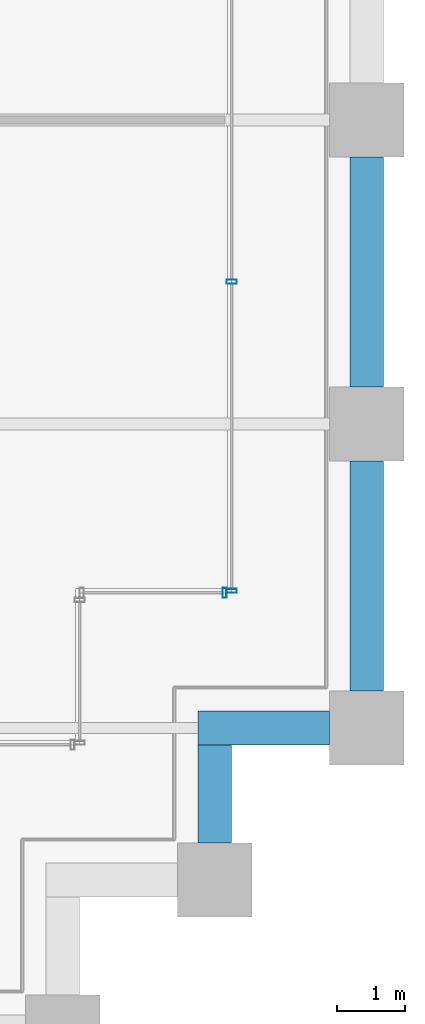
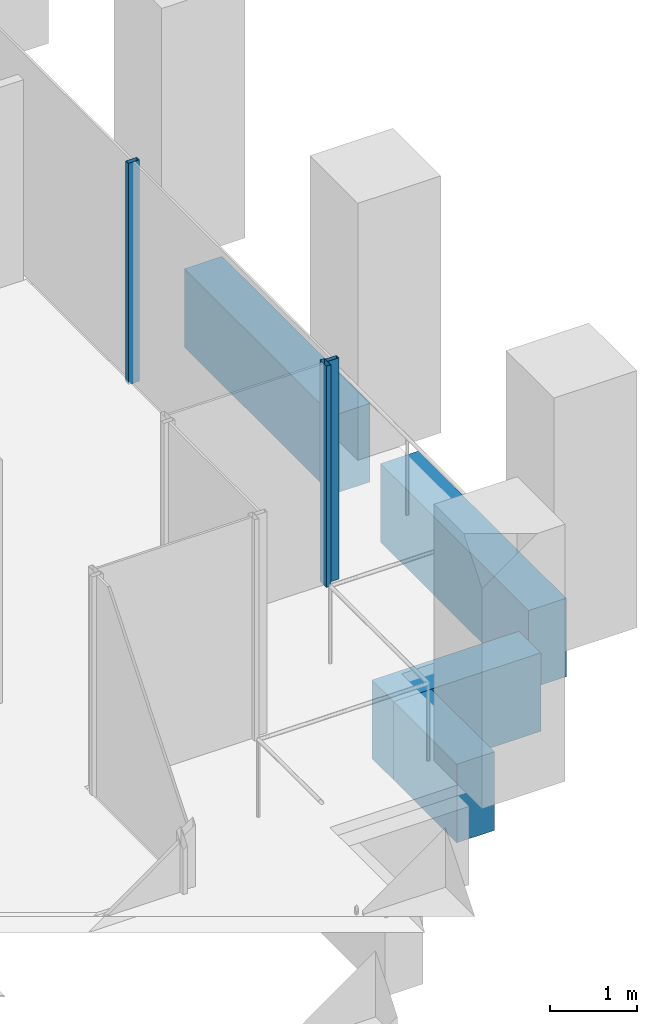
# One storey, part 46 of 54: 4 beams, 3 members, 2 elements without a shape of their own.
"""IFC4 building model written with IfcOpenShell, lengths in metres."""

from ifc_helpers import new_model, si_unit, direction, frame, origin, origin_2d, place, context, subcontext, project, spatial, rectangle, hollow_rectangle, extrude, material, material_profile, profile_set, type_object, element, aggregate, save


model = new_model("IFC4")

# Units and contexts
model_context = context("Model", 3, precision=1e-05, world=origin(), true_north=direction((0.0, 1.0)))
body_context = subcontext(model_context, "Body", "Model", "MODEL_VIEW")
ifc_project = project(units=[si_unit("LENGTHUNIT", "METRE"), si_unit("AREAUNIT", "SQUARE_METRE"), si_unit("VOLUMEUNIT", "CUBIC_METRE"), si_unit("PLANEANGLEUNIT", "RADIAN"), si_unit("MASSUNIT", "GRAM", prefix="KILO")], contexts=[model_context])

# Site, building, storey
site_placement = place(None, origin())
site = spatial("IfcSite", under=ifc_project, at=site_placement, CompositionType="ELEMENT")
building_placement = place(site_placement, origin())
building = spatial("IfcBuilding", under=site, at=building_placement, Name="Altepetl Exchange Towers", CompositionType="ELEMENT")
storey_placement = place(building_placement, frame((0.0, 0.0, 61.800048828125)))
storey = spatial("IfcBuildingStorey", under=building, at=storey_placement, Name="L14", CompositionType="ELEMENT", Elevation=61.800048828125)

# Curtain wall, member
ifc_material_1 = material(Name="Aluminium 6063-T6 glazing", Category="aluminium")
curtain_wall_type = type_object("IfcCurtainWallType", Name="Loggia glazing system", PredefinedType="NOTDEFINED", material=ifc_material_1)
curtain_wall_1_placement = place(storey_placement, origin())
curtain_wall_1 = element("IfcCurtainWall", 1, at=curtain_wall_1_placement, inside=storey, type_object=curtain_wall_type, Name="CW1 run", PredefinedType="NOTDEFINED")
ifc_material_2 = material(Name="Aluminium 6063-T6", Category="aluminium")
ifc_material_profile_1 = material_profile(ifc_material_2, hollow_rectangle(XDim=0.06005859375, YDim=0.14990234375, WallThickness=0.0029296875, at=origin_2d()), Name="Mullion 60x150 aluminium")
ifc_profile_set_1 = profile_set([ifc_material_profile_1], Name="Aluminium 6063-T6")
member_type = type_object("IfcMemberType", Name="Mullion 60x150 aluminium", PredefinedType="MULLION", material=ifc_profile_set_1)
member_1_placement = place(storey_placement, frame((123.89501953125, 33.5, 0.0)))
member_1 = element("IfcMember", 2, at=member_1_placement, type_object=member_type, Name="MU1 mullion", PredefinedType="MULLION", context=body_context, shape_type="SweptSolid", body=[
    extrude(hollow_rectangle(XDim=0.06005859375, YDim=0.14990234375, WallThickness=0.0029296875, at=origin_2d()), origin(), (0.0, 0.0, 1.0), 3.099853515625),
])
aggregate(curtain_wall_1, [member_1])

# Curtain wall, members
curtain_wall_2_placement = place(storey_placement, origin())
curtain_wall_2 = element("IfcCurtainWall", 3, at=curtain_wall_2_placement, inside=storey, type_object=curtain_wall_type, Name="CW1 run", PredefinedType="NOTDEFINED")
member_2_placement = place(storey_placement, frame((124.0, 33.530029296875, 0.0), z_axis=(0.0, 0.0, 1.0), x_axis=(0.0, 1.0, 0.0)))
member_2 = element("IfcMember", 4, at=member_2_placement, type_object=member_type, Name="MU1 mullion", PredefinedType="MULLION", context=body_context, shape_type="SweptSolid", body=[
    extrude(hollow_rectangle(XDim=0.06005859375, YDim=0.14990234375, WallThickness=0.0029296875, at=origin_2d()), origin(), (0.0, 0.0, 1.0), 3.099853515625),
])
member_3_placement = place(storey_placement, frame((124.0, 38.106201171875, 0.0), z_axis=(0.0, 0.0, 1.0), x_axis=(0.0, 1.0, 0.0)))
member_3 = element("IfcMember", 5, at=member_3_placement, type_object=member_type, Name="MU1 mullion", PredefinedType="MULLION", context=body_context, shape_type="SweptSolid", body=[
    extrude(hollow_rectangle(XDim=0.06005859375, YDim=0.14990234375, WallThickness=0.0029296875, at=origin_2d()), origin(), (0.0, 0.0, 1.0), 3.099853515625),
])
aggregate(curtain_wall_2, [member_2, member_3])

# Beams
ifc_material_3 = material(Name="Concrete C50/60 precast with cantera blanca facing", Category="concrete")
ifc_material_profile_2 = material_profile(ifc_material_3, rectangle(XDim=0.5, YDim=1.10009765625, at=origin_2d()), Name="500 x 1100")
ifc_profile_set_2 = profile_set([ifc_material_profile_2], Name="Concrete C50/60 precast with cantera blanca facing")
beam_type = type_object("IfcBeamType", Name="Spandrel beam 500x1100 cantera blanca", PredefinedType="SPANDREL", material=ifc_profile_set_2)
beam_1_placement = place(storey_placement, frame((123.75, 29.800048828125, -0.699951171875), z_axis=(0.0, 1.0, 0.0), x_axis=(-1.0, 0.0, 0.0)))
element("IfcBeam", 6, at=beam_1_placement, inside=storey, type_object=beam_type, Name="sp:B:L14:007", PredefinedType="SPANDREL", context=body_context, shape_type="SweptSolid", body=[
    extrude(rectangle(XDim=0.5, YDim=1.10009765625, at=origin_2d()), origin(), (0.0, 0.0, 1.0), 1.449951171875),
])
beam_2_placement = place(storey_placement, frame((123.5, 31.5, -0.699951171875), z_axis=(1.0, 0.0, 0.0), x_axis=(0.0, 1.0, 0.0)))
element("IfcBeam", 7, at=beam_2_placement, inside=storey, type_object=beam_type, Name="sp:B:L14:008", PredefinedType="SPANDREL", context=body_context, shape_type="SweptSolid", body=[
    extrude(rectangle(XDim=0.5, YDim=1.10009765625, at=origin_2d()), origin(), (0.0, 0.0, 1.0), 1.949951171875),
])
for number, where, z_axis, x_axis, name in (
    (8, (126.0, 32.050048828125, -0.699951171875), (0.0, 1.0, 0.0), (-1.0, 0.0, 0.0), "sp:B:L14:009"),
    (9, (126.0, 36.550048828125, -0.699951171875), (0.0, 1.0, 0.0), (-1.0, 0.0, 0.0), "sp:B:L14:010"),
):
    element("IfcBeam", number, at=place(storey_placement, frame(where, z_axis=z_axis, x_axis=x_axis)), inside=storey, type_object=beam_type, Name=name, PredefinedType="SPANDREL", context=body_context, shape_type="SweptSolid", body=[
        extrude(rectangle(XDim=0.5, YDim=1.10009765625, at=origin_2d()), origin(), (0.0, 0.0, 1.0), 3.39990234375),
    ])

save(model, "model.ifc")
